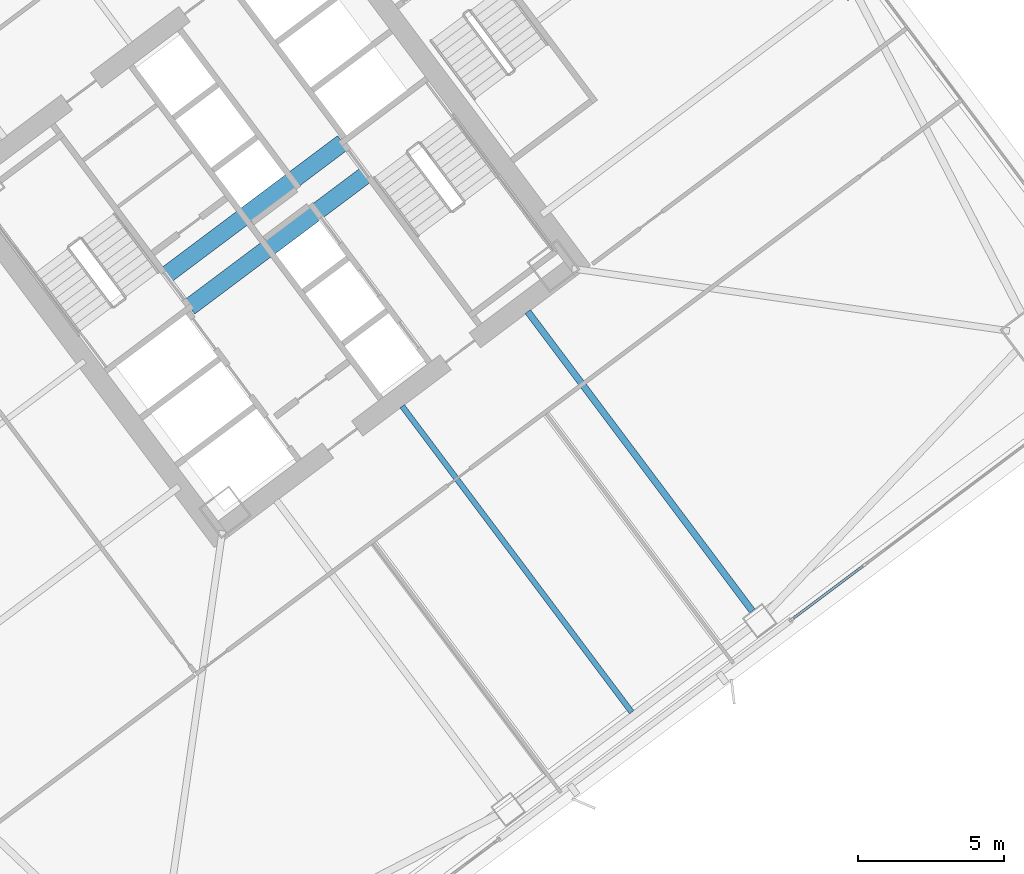
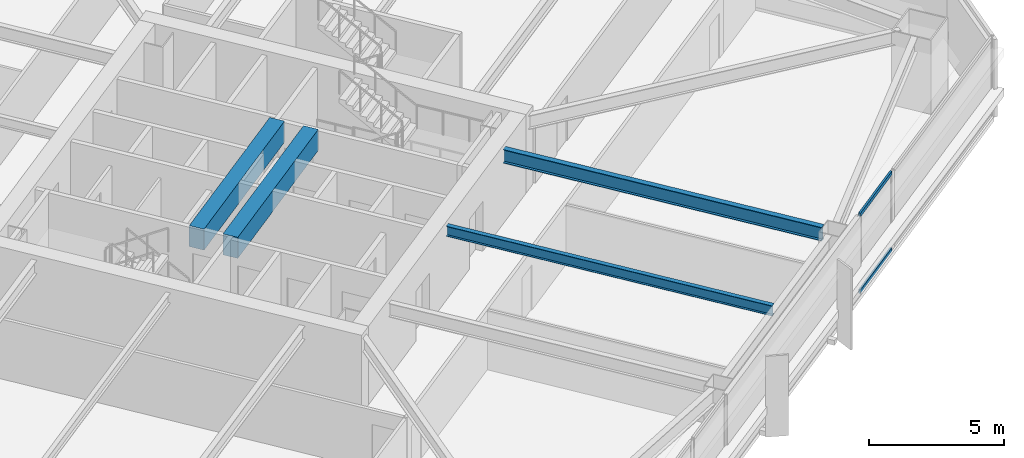
# One storey, part 29 of 62: 4 beams, 2 members, 1 element without a shape of its own.
"""IFC4 building model written with IfcOpenShell, lengths in metres."""

from ifc_helpers import new_model, si_unit, direction, frame, origin, origin_2d, place, context, subcontext, project, spatial, rectangle, hollow_rectangle, i_section, extrude, material, material_profile, profile_set, type_object, element, aggregate, save


model = new_model("IFC4")

# Units and contexts
model_context = context("Model", 3, precision=1e-05, world=origin(), true_north=direction((0.0, 1.0)))
body_context = subcontext(model_context, "Body", "Model", "MODEL_VIEW")
ifc_project = project(units=[si_unit("LENGTHUNIT", "METRE"), si_unit("AREAUNIT", "SQUARE_METRE"), si_unit("VOLUMEUNIT", "CUBIC_METRE"), si_unit("PLANEANGLEUNIT", "RADIAN"), si_unit("MASSUNIT", "GRAM", prefix="KILO")], contexts=[model_context])

# Site, building, storey
site_placement = place(None, origin())
site = spatial("IfcSite", under=ifc_project, at=site_placement, CompositionType="ELEMENT")
building_placement = place(site_placement, origin())
building = spatial("IfcBuilding", under=site, at=building_placement, Name="Tashvorn Skyway Center", CompositionType="ELEMENT")
storey_placement = place(building_placement, frame((0.0, 0.0, 28.14990234375)))
storey = spatial("IfcBuildingStorey", under=building, at=storey_placement, Name="L06", CompositionType="ELEMENT", Elevation=28.14990234375)

# Beams
ifc_material_1 = material(Name="Steel ASTM A992 Grade 50", Category="steel")
ifc_material_profile_1 = material_profile(ifc_material_1, i_section(OverallWidth=0.22998046875, OverallDepth=0.616943359375, WebThickness=0.01318359375, FlangeThickness=0.022216796875, at=origin_2d()), Name="W24X94")
ifc_profile_set_1 = profile_set([ifc_material_profile_1], Name="Steel ASTM A992 Grade 50")
beam_type_1 = type_object("IfcBeamType", Name="BM-BEAM-W24X94", PredefinedType="BEAM", material=ifc_profile_set_1)
beam_1_placement = place(storey_placement, frame((130.697998046875, 18.736083984375, 3.04150390625), z_axis=(-0.599996960112, 0.800002279907, 0.0), x_axis=(-0.800002279907, -0.599996960112, 0.0)))
element("IfcBeam", 1, at=beam_1_placement, inside=storey, type_object=beam_type_1, Name="Tower 2 L06 Primary Floor Girder FC-S2", PredefinedType="BEAM", context=body_context, shape_type="SweptSolid", body=[
    extrude(i_section(OverallWidth=0.22998046875, OverallDepth=0.616943359375, WebThickness=0.01318359375, FlangeThickness=0.022216796875, at=origin_2d()), origin(), (0.0, 0.0, 1.0), 12.85009765625),
])
ifc_material_profile_2 = material_profile(ifc_material_1, i_section(OverallWidth=0.19091796875, OverallDepth=0.4599609375, WebThickness=0.010009765625, FlangeThickness=0.01611328125, at=origin_2d()), Name="W18X55")
ifc_profile_set_2 = profile_set([ifc_material_profile_2], Name="Steel ASTM A992 Grade 50")
beam_type_2 = type_object("IfcBeamType", Name="BM-JOIST-W18X55", PredefinedType="JOIST", material=ifc_profile_set_2)
beam_2_placement = place(storey_placement, frame((118.674072265625, 25.76806640625, 3.1201171875), z_axis=(0.600002972791, -0.799997770398, 0.0), x_axis=(0.799997770398, 0.600002972791, 0.0)))
element("IfcBeam", 2, at=beam_2_placement, inside=storey, type_object=beam_type_2, Name="Tower 2 L06 Secondary Composite Joist JS", PredefinedType="JOIST", context=body_context, shape_type="SweptSolid", body=[
    extrude(i_section(OverallWidth=0.19091796875, OverallDepth=0.4599609375, WebThickness=0.010009765625, FlangeThickness=0.01611328125, at=origin_2d()), origin(), (0.0, 0.0, 1.0), 13.139892578125),
])
ifc_material_2 = material(Name="Concrete C60/75", Category="concrete")
ifc_material_profile_3 = material_profile(ifc_material_2, rectangle(XDim=0.60009765625, YDim=0.949951171875, at=origin_2d()), Name="RCB600x950")
ifc_profile_set_3 = profile_set([ifc_material_profile_3], Name="Concrete C60/75")
beam_type_3 = type_object("IfcBeamType", Name="BM-LINTEL-RCB600x950", PredefinedType="LINTEL", material=ifc_profile_set_3)
for number, where, z_axis, x_axis, name in (
    (3, (110.552001953125, 30.263916015625, 2.875), (0.8, 0.6, 0.0), (-0.6, 0.8, 0.0), "Tower 2 L06 Core Coupling Beam CN"),
    (4, (111.367919921875, 29.176025390625, 2.875), (0.8, 0.6, 0.0), (-0.6, 0.8, 0.0), "Tower 2 L06 Core Coupling Beam CS"),
):
    element("IfcBeam", number, at=place(storey_placement, frame(where, z_axis=z_axis, x_axis=x_axis)), inside=storey, type_object=beam_type_3, Name=name, PredefinedType="LINTEL", context=body_context, shape_type="SweptSolid", body=[
        extrude(rectangle(XDim=0.60009765625, YDim=0.949951171875, at=origin_2d()), origin(), (0.0, 0.0, 1.0), 7.60009765625),
    ])

# Curtain wall, members
ifc_material_3 = material(Name="Thermally broken bronze-anodized aluminium 6063-T6", Category="aluminium")
curtain_wall_type = type_object("IfcCurtainWallType", Name="CW-CW-Z1", PredefinedType="NOTDEFINED", material=ifc_material_3)
curtain_wall_placement = place(storey_placement, origin())
curtain_wall = element("IfcCurtainWall", 5, at=curtain_wall_placement, inside=storey, type_object=curtain_wall_type, Name="Tower 2 L06 South Unitised Curtain Wall Glazing Group 2", PredefinedType="NOTDEFINED")
ifc_material_profile_4 = material_profile(ifc_material_3, hollow_rectangle(XDim=0.0849609375, YDim=0.1650390625, WallThickness=0.0048828125, at=origin_2d()), Name="ALU-TRAN-85x165")
ifc_profile_set_4 = profile_set([ifc_material_profile_4], Name="Thermally broken bronze-anodized aluminium 6063-T6")
member_type = type_object("IfcMemberType", Name="CWT-CW-Z1", PredefinedType="USERDEFINED", material=ifc_profile_set_4)
member_1_placement = place(storey_placement, frame((134.491943359375, 20.26904296875, 0.04248046875), z_axis=(-0.799980315822, -0.600026244674, 0.0), x_axis=(0.600026244674, -0.799980315822, 0.0)))
member_1 = element("IfcMember", 6, at=member_1_placement, type_object=member_type, Name="CW-Z1 transom 1.1", ObjectType="TRANSOM", PredefinedType="USERDEFINED", context=body_context, shape_type="SweptSolid", body=[
    extrude(hollow_rectangle(XDim=0.0849609375, YDim=0.1650390625, WallThickness=0.0048828125, at=origin_2d()), origin(), (0.0, 0.0, 1.0), 2.976806640625),
])
member_2_placement = place(storey_placement, frame((134.491943359375, 20.26904296875, 3.507568359375), z_axis=(-0.799980315822, -0.600026244674, 0.0), x_axis=(0.600026244674, -0.799980315822, 0.0)))
member_2 = element("IfcMember", 7, at=member_2_placement, type_object=member_type, Name="CW-Z1 transom 1.2", ObjectType="TRANSOM", PredefinedType="USERDEFINED", context=body_context, shape_type="SweptSolid", body=[
    extrude(hollow_rectangle(XDim=0.0849609375, YDim=0.1650390625, WallThickness=0.0048828125, at=origin_2d()), origin(), (0.0, 0.0, 1.0), 2.976806640625),
])
aggregate(curtain_wall, [member_1, member_2])

save(model, "model.ifc")
